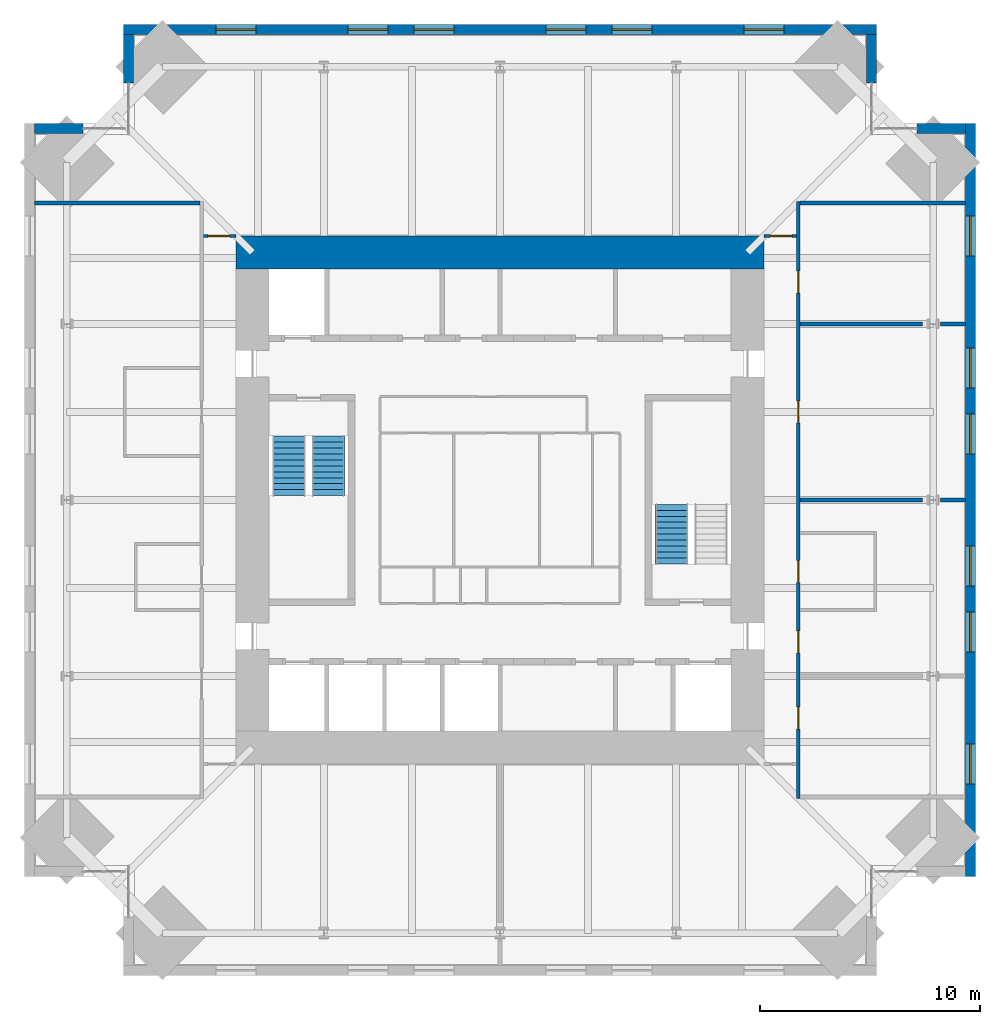
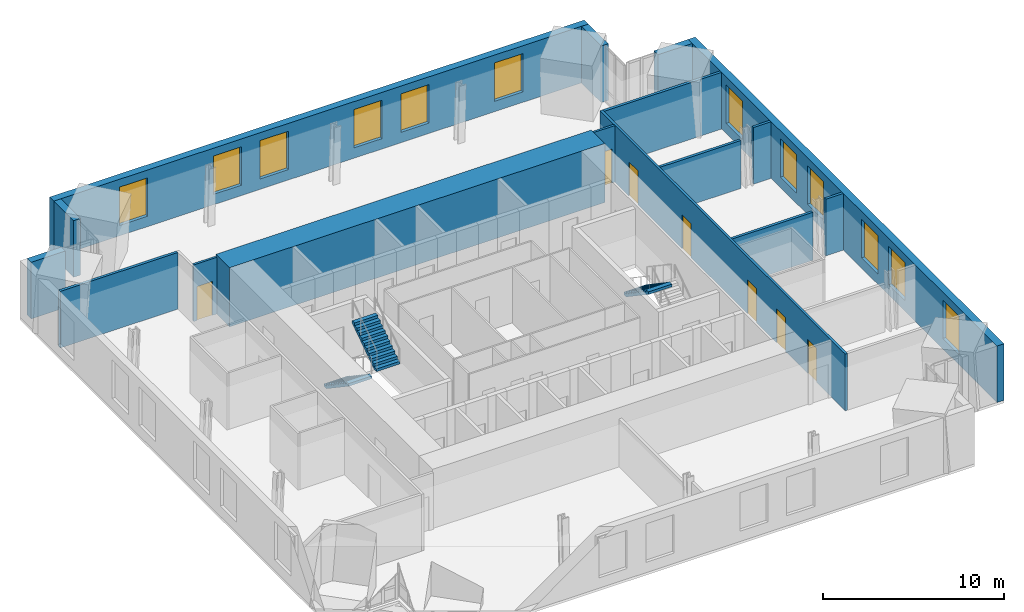
# One storey, part 14 of 16: 16 walls, 12 windows, 7 doors, 3 stair flights, 19 openings, 2 elements without a shape of their own.
"""IFC4 building model written with IfcOpenShell, lengths in metres."""

from ifc_helpers import new_model, si_unit, direction, frame, frame_2d, origin, place, context, subcontext, project, spatial, polyline, rectangle, outline, extrude, material, layer, layer_set, type_object, element, fill, aggregate, save


model = new_model("IFC4")

# Units and contexts
model_context = context("Model", 3, precision=1e-05, world=origin(), true_north=direction((0.0, 1.0)))
body_context = subcontext(model_context, "Body", "Model", "MODEL_VIEW")
ifc_project = project(units=[si_unit("LENGTHUNIT", "METRE"), si_unit("AREAUNIT", "SQUARE_METRE"), si_unit("VOLUMEUNIT", "CUBIC_METRE"), si_unit("PLANEANGLEUNIT", "RADIAN"), si_unit("MASSUNIT", "GRAM", prefix="KILO")], contexts=[model_context])

# Site, building, storey
site_placement = place(None, origin())
site = spatial("IfcSite", under=ifc_project, at=site_placement, CompositionType="ELEMENT")
building_placement = place(site_placement, origin())
building = spatial("IfcBuilding", under=site, at=building_placement, Name="Peilmerk Tower", CompositionType="ELEMENT")
storey_placement = place(building_placement, frame((0.0, 0.0, 277.800048828125)))
storey = spatial("IfcBuildingStorey", under=building, at=storey_placement, Name="L62", CompositionType="ELEMENT", Elevation=277.800048828125)

# Wall, openings, windows
ifc_material_1 = material(Name="Precast concrete C45/55, board-marked finish", Category="concrete")
ifc_layer_1 = layer(ifc_material_1, 0.449951171875)
ifc_layer_set_1 = layer_set([ifc_layer_1], Name="Precast concrete C45/55, board-marked finish")
wall_type_1 = type_object("IfcWallType", Name="EW1 450 precast concrete facade wall, board-marked", PredefinedType="SOLIDWALL", material=ifc_layer_set_1)
wall_1_placement = place(storey_placement, frame((17.10009765625, 21.375, 0.0), z_axis=(0.0, 0.0, 1.0), x_axis=(-1.0, 0.0, 0.0)))
wall_1 = element("IfcWall", 1, at=wall_1_placement, inside=storey, type_object=wall_type_1, Name="Facade wall N L62", PredefinedType="SOLIDWALL", context=body_context, shape_type="SweptSolid", body=[
    extrude(rectangle(XDim=34.2001953125, YDim=0.449951171875, at=frame_2d((17.10009765625, 0.0))), origin(), (0.0, 0.0, 1.0), 3.829833984375),
])
opening_1_placement = place(wall_1_placement, frame((4.199951171875, 0.0, 0.699951171875)))
opening_1 = element("IfcOpeningElement", 2, at=opening_1_placement, cuts=wall_1, Name="Opening W1", PredefinedType="OPENING", context=body_context, shape_type="SweptSolid", body=[
    extrude(rectangle(XDim=1.800048828125, YDim=2.60009765625, at=frame_2d((0.89990234375, 1.300048828125))), frame((0.0, 0.23486328125, 0.0), z_axis=(0.0, -1.0, 0.0), x_axis=(1.0, 0.0, 0.0)), (0.0, 0.0, 1.0), 0.469970703125),
])
opening_2_placement = place(wall_1_placement, frame((10.199951171875, 0.0, 0.699951171875)))
opening_2 = element("IfcOpeningElement", 3, at=opening_2_placement, cuts=wall_1, Name="Opening W1", PredefinedType="OPENING", context=body_context, shape_type="SweptSolid", body=[
    extrude(rectangle(XDim=1.800048828125, YDim=2.60009765625, at=frame_2d((0.89990234375, 1.300048828125))), frame((0.0, 0.23486328125, 0.0), z_axis=(0.0, -1.0, 0.0), x_axis=(1.0, 0.0, 0.0)), (0.0, 0.0, 1.0), 0.469970703125),
])
opening_3_placement = place(wall_1_placement, frame((13.199951171875, 0.0, 0.699951171875)))
opening_3 = element("IfcOpeningElement", 4, at=opening_3_placement, cuts=wall_1, Name="Opening W1", PredefinedType="OPENING", context=body_context, shape_type="SweptSolid", body=[
    extrude(rectangle(XDim=1.800048828125, YDim=2.60009765625, at=frame_2d((0.89990234375, 1.300048828125))), frame((0.0, 0.23486328125, 0.0), z_axis=(0.0, -1.0, 0.0), x_axis=(1.0, 0.0, 0.0)), (0.0, 0.0, 1.0), 0.469970703125),
])
opening_4_placement = place(wall_1_placement, frame((19.199951171875, 0.0, 0.699951171875)))
opening_4 = element("IfcOpeningElement", 5, at=opening_4_placement, cuts=wall_1, Name="Opening W1", PredefinedType="OPENING", context=body_context, shape_type="SweptSolid", body=[
    extrude(rectangle(XDim=1.800048828125, YDim=2.60009765625, at=frame_2d((0.89990234375, 1.300048828125))), frame((0.0, 0.23486328125, 0.0), z_axis=(0.0, -1.0, 0.0), x_axis=(1.0, 0.0, 0.0)), (0.0, 0.0, 1.0), 0.469970703125),
])
opening_5_placement = place(wall_1_placement, frame((22.199951171875, 0.0, 0.699951171875)))
opening_5 = element("IfcOpeningElement", 6, at=opening_5_placement, cuts=wall_1, Name="Opening W1", PredefinedType="OPENING", context=body_context, shape_type="SweptSolid", body=[
    extrude(rectangle(XDim=1.800048828125, YDim=2.60009765625, at=frame_2d((0.89990234375, 1.300048828125))), frame((0.0, 0.23486328125, 0.0), z_axis=(0.0, -1.0, 0.0), x_axis=(1.0, 0.0, 0.0)), (0.0, 0.0, 1.0), 0.469970703125),
])
opening_6_placement = place(wall_1_placement, frame((28.199951171875, 0.0, 0.699951171875)))
opening_6 = element("IfcOpeningElement", 7, at=opening_6_placement, cuts=wall_1, Name="Opening W1", PredefinedType="OPENING", context=body_context, shape_type="SweptSolid", body=[
    extrude(rectangle(XDim=1.800048828125, YDim=2.60009765625, at=frame_2d((0.89990234375, 1.300048828125))), frame((0.0, 0.23486328125, 0.0), z_axis=(0.0, -1.0, 0.0), x_axis=(1.0, 0.0, 0.0)), (0.0, 0.0, 1.0), 0.469970703125),
])
ifc_material_2 = material(Name="Aluminium frame, clear double glazing", Category="aluminium")
window_type = type_object("IfcWindowType", Name="W1 1800x2600 office window", PartitioningType="SINGLE_PANEL", PredefinedType="WINDOW", material=ifc_material_2)
window_1_placement = place(opening_1_placement, origin())
window_1 = element("IfcWindow", 8, at=window_1_placement, inside=storey, type_object=window_type, Name="Window W1 L62", OverallHeight=2.60009765625, OverallWidth=1.800048828125, PartitioningType="SINGLE_PANEL", PredefinedType="WINDOW", context=body_context, shape_type="SweptSolid", body=[
    extrude(rectangle(XDim=1.800048828125, YDim=2.60009765625, at=frame_2d((0.89990234375, 1.300048828125))), frame((0.0, 0.030029296875, 0.0), z_axis=(0.0, -1.0, 0.0), x_axis=(1.0, 0.0, 0.0)), (0.0, 0.0, 1.0), 0.06005859375),
])
fill(opening_1, window_1)
window_2_placement = place(opening_2_placement, origin())
window_2 = element("IfcWindow", 9, at=window_2_placement, inside=storey, type_object=window_type, Name="Window W1 L62", OverallHeight=2.60009765625, OverallWidth=1.800048828125, PartitioningType="SINGLE_PANEL", PredefinedType="WINDOW", context=body_context, shape_type="SweptSolid", body=[
    extrude(rectangle(XDim=1.800048828125, YDim=2.60009765625, at=frame_2d((0.89990234375, 1.300048828125))), frame((0.0, 0.030029296875, 0.0), z_axis=(0.0, -1.0, 0.0), x_axis=(1.0, 0.0, 0.0)), (0.0, 0.0, 1.0), 0.06005859375),
])
fill(opening_2, window_2)
window_3_placement = place(opening_3_placement, origin())
window_3 = element("IfcWindow", 10, at=window_3_placement, inside=storey, type_object=window_type, Name="Window W1 L62", OverallHeight=2.60009765625, OverallWidth=1.800048828125, PartitioningType="SINGLE_PANEL", PredefinedType="WINDOW", context=body_context, shape_type="SweptSolid", body=[
    extrude(rectangle(XDim=1.800048828125, YDim=2.60009765625, at=frame_2d((0.89990234375, 1.300048828125))), frame((0.0, 0.030029296875, 0.0), z_axis=(0.0, -1.0, 0.0), x_axis=(1.0, 0.0, 0.0)), (0.0, 0.0, 1.0), 0.06005859375),
])
fill(opening_3, window_3)
window_4_placement = place(opening_4_placement, origin())
window_4 = element("IfcWindow", 11, at=window_4_placement, inside=storey, type_object=window_type, Name="Window W1 L62", OverallHeight=2.60009765625, OverallWidth=1.800048828125, PartitioningType="SINGLE_PANEL", PredefinedType="WINDOW", context=body_context, shape_type="SweptSolid", body=[
    extrude(rectangle(XDim=1.800048828125, YDim=2.60009765625, at=frame_2d((0.89990234375, 1.300048828125))), frame((0.0, 0.030029296875, 0.0), z_axis=(0.0, -1.0, 0.0), x_axis=(1.0, 0.0, 0.0)), (0.0, 0.0, 1.0), 0.06005859375),
])
fill(opening_4, window_4)
window_5_placement = place(opening_5_placement, origin())
window_5 = element("IfcWindow", 12, at=window_5_placement, inside=storey, type_object=window_type, Name="Window W1 L62", OverallHeight=2.60009765625, OverallWidth=1.800048828125, PartitioningType="SINGLE_PANEL", PredefinedType="WINDOW", context=body_context, shape_type="SweptSolid", body=[
    extrude(rectangle(XDim=1.800048828125, YDim=2.60009765625, at=frame_2d((0.89990234375, 1.300048828125))), frame((0.0, 0.030029296875, 0.0), z_axis=(0.0, -1.0, 0.0), x_axis=(1.0, 0.0, 0.0)), (0.0, 0.0, 1.0), 0.06005859375),
])
fill(opening_5, window_5)
window_6_placement = place(opening_6_placement, origin())
window_6 = element("IfcWindow", 13, at=window_6_placement, inside=storey, type_object=window_type, Name="Window W1 L62", OverallHeight=2.60009765625, OverallWidth=1.800048828125, PartitioningType="SINGLE_PANEL", PredefinedType="WINDOW", context=body_context, shape_type="SweptSolid", body=[
    extrude(rectangle(XDim=1.800048828125, YDim=2.60009765625, at=frame_2d((0.89990234375, 1.300048828125))), frame((0.0, 0.030029296875, 0.0), z_axis=(0.0, -1.0, 0.0), x_axis=(1.0, 0.0, 0.0)), (0.0, 0.0, 1.0), 0.06005859375),
])
fill(opening_6, window_6)

wall_2_placement = place(storey_placement, frame((21.375, -17.10009765625, 0.0), z_axis=(0.0, 0.0, 1.0), x_axis=(0.0, 1.0, 0.0)))
wall_2 = element("IfcWall", 14, at=wall_2_placement, inside=storey, type_object=wall_type_1, Name="Facade wall E L62", PredefinedType="SOLIDWALL", context=body_context, shape_type="SweptSolid", body=[
    extrude(rectangle(XDim=34.2001953125, YDim=0.449951171875, at=frame_2d((17.10009765625, 0.0))), origin(), (0.0, 0.0, 1.0), 3.829833984375),
])
opening_7_placement = place(wall_2_placement, frame((4.199951171875, 0.0, 0.699951171875)))
opening_7 = element("IfcOpeningElement", 15, at=opening_7_placement, cuts=wall_2, Name="Opening W1", PredefinedType="OPENING", context=body_context, shape_type="SweptSolid", body=[
    extrude(rectangle(XDim=1.800048828125, YDim=2.60009765625, at=frame_2d((0.89990234375, 1.300048828125))), frame((0.0, 0.23486328125, 0.0), z_axis=(0.0, -1.0, 0.0), x_axis=(1.0, 0.0, 0.0)), (0.0, 0.0, 1.0), 0.469970703125),
])
opening_8_placement = place(wall_2_placement, frame((10.199951171875, 0.0, 0.699951171875)))
opening_8 = element("IfcOpeningElement", 16, at=opening_8_placement, cuts=wall_2, Name="Opening W1", PredefinedType="OPENING", context=body_context, shape_type="SweptSolid", body=[
    extrude(rectangle(XDim=1.800048828125, YDim=2.60009765625, at=frame_2d((0.89990234375, 1.300048828125))), frame((0.0, 0.23486328125, 0.0), z_axis=(0.0, -1.0, 0.0), x_axis=(1.0, 0.0, 0.0)), (0.0, 0.0, 1.0), 0.469970703125),
])
opening_9_placement = place(wall_2_placement, frame((13.199951171875, 0.0, 0.699951171875)))
opening_9 = element("IfcOpeningElement", 17, at=opening_9_placement, cuts=wall_2, Name="Opening W1", PredefinedType="OPENING", context=body_context, shape_type="SweptSolid", body=[
    extrude(rectangle(XDim=1.800048828125, YDim=2.60009765625, at=frame_2d((0.89990234375, 1.300048828125))), frame((0.0, 0.23486328125, 0.0), z_axis=(0.0, -1.0, 0.0), x_axis=(1.0, 0.0, 0.0)), (0.0, 0.0, 1.0), 0.469970703125),
])
opening_10_placement = place(wall_2_placement, frame((19.199951171875, 0.0, 0.699951171875)))
opening_10 = element("IfcOpeningElement", 18, at=opening_10_placement, cuts=wall_2, Name="Opening W1", PredefinedType="OPENING", context=body_context, shape_type="SweptSolid", body=[
    extrude(rectangle(XDim=1.800048828125, YDim=2.60009765625, at=frame_2d((0.89990234375, 1.300048828125))), frame((0.0, 0.23486328125, 0.0), z_axis=(0.0, -1.0, 0.0), x_axis=(1.0, 0.0, 0.0)), (0.0, 0.0, 1.0), 0.469970703125),
])
opening_11_placement = place(wall_2_placement, frame((22.199951171875, 0.0, 0.699951171875)))
opening_11 = element("IfcOpeningElement", 19, at=opening_11_placement, cuts=wall_2, Name="Opening W1", PredefinedType="OPENING", context=body_context, shape_type="SweptSolid", body=[
    extrude(rectangle(XDim=1.800048828125, YDim=2.60009765625, at=frame_2d((0.89990234375, 1.300048828125))), frame((0.0, 0.23486328125, 0.0), z_axis=(0.0, -1.0, 0.0), x_axis=(1.0, 0.0, 0.0)), (0.0, 0.0, 1.0), 0.469970703125),
])
opening_12_placement = place(wall_2_placement, frame((28.199951171875, 0.0, 0.699951171875)))
opening_12 = element("IfcOpeningElement", 20, at=opening_12_placement, cuts=wall_2, Name="Opening W1", PredefinedType="OPENING", context=body_context, shape_type="SweptSolid", body=[
    extrude(rectangle(XDim=1.800048828125, YDim=2.60009765625, at=frame_2d((0.89990234375, 1.300048828125))), frame((0.0, 0.23486328125, 0.0), z_axis=(0.0, -1.0, 0.0), x_axis=(1.0, 0.0, 0.0)), (0.0, 0.0, 1.0), 0.469970703125),
])
window_7_placement = place(opening_7_placement, origin())
window_7 = element("IfcWindow", 21, at=window_7_placement, inside=storey, type_object=window_type, Name="Window W1 L62", OverallHeight=2.60009765625, OverallWidth=1.800048828125, PartitioningType="SINGLE_PANEL", PredefinedType="WINDOW", context=body_context, shape_type="SweptSolid", body=[
    extrude(rectangle(XDim=1.800048828125, YDim=2.60009765625, at=frame_2d((0.89990234375, 1.300048828125))), frame((0.0, 0.030029296875, 0.0), z_axis=(0.0, -1.0, 0.0), x_axis=(1.0, 0.0, 0.0)), (0.0, 0.0, 1.0), 0.06005859375),
])
fill(opening_7, window_7)
window_8_placement = place(opening_8_placement, origin())
window_8 = element("IfcWindow", 22, at=window_8_placement, inside=storey, type_object=window_type, Name="Window W1 L62", OverallHeight=2.60009765625, OverallWidth=1.800048828125, PartitioningType="SINGLE_PANEL", PredefinedType="WINDOW", context=body_context, shape_type="SweptSolid", body=[
    extrude(rectangle(XDim=1.800048828125, YDim=2.60009765625, at=frame_2d((0.89990234375, 1.300048828125))), frame((0.0, 0.030029296875, 0.0), z_axis=(0.0, -1.0, 0.0), x_axis=(1.0, 0.0, 0.0)), (0.0, 0.0, 1.0), 0.06005859375),
])
fill(opening_8, window_8)
window_9_placement = place(opening_9_placement, origin())
window_9 = element("IfcWindow", 23, at=window_9_placement, inside=storey, type_object=window_type, Name="Window W1 L62", OverallHeight=2.60009765625, OverallWidth=1.800048828125, PartitioningType="SINGLE_PANEL", PredefinedType="WINDOW", context=body_context, shape_type="SweptSolid", body=[
    extrude(rectangle(XDim=1.800048828125, YDim=2.60009765625, at=frame_2d((0.89990234375, 1.300048828125))), frame((0.0, 0.030029296875, 0.0), z_axis=(0.0, -1.0, 0.0), x_axis=(1.0, 0.0, 0.0)), (0.0, 0.0, 1.0), 0.06005859375),
])
fill(opening_9, window_9)
window_10_placement = place(opening_10_placement, origin())
window_10 = element("IfcWindow", 24, at=window_10_placement, inside=storey, type_object=window_type, Name="Window W1 L62", OverallHeight=2.60009765625, OverallWidth=1.800048828125, PartitioningType="SINGLE_PANEL", PredefinedType="WINDOW", context=body_context, shape_type="SweptSolid", body=[
    extrude(rectangle(XDim=1.800048828125, YDim=2.60009765625, at=frame_2d((0.89990234375, 1.300048828125))), frame((0.0, 0.030029296875, 0.0), z_axis=(0.0, -1.0, 0.0), x_axis=(1.0, 0.0, 0.0)), (0.0, 0.0, 1.0), 0.06005859375),
])
fill(opening_10, window_10)
window_11_placement = place(opening_11_placement, origin())
window_11 = element("IfcWindow", 25, at=window_11_placement, inside=storey, type_object=window_type, Name="Window W1 L62", OverallHeight=2.60009765625, OverallWidth=1.800048828125, PartitioningType="SINGLE_PANEL", PredefinedType="WINDOW", context=body_context, shape_type="SweptSolid", body=[
    extrude(rectangle(XDim=1.800048828125, YDim=2.60009765625, at=frame_2d((0.89990234375, 1.300048828125))), frame((0.0, 0.030029296875, 0.0), z_axis=(0.0, -1.0, 0.0), x_axis=(1.0, 0.0, 0.0)), (0.0, 0.0, 1.0), 0.06005859375),
])
fill(opening_11, window_11)
window_12_placement = place(opening_12_placement, origin())
window_12 = element("IfcWindow", 26, at=window_12_placement, inside=storey, type_object=window_type, Name="Window W1 L62", OverallHeight=2.60009765625, OverallWidth=1.800048828125, PartitioningType="SINGLE_PANEL", PredefinedType="WINDOW", context=body_context, shape_type="SweptSolid", body=[
    extrude(rectangle(XDim=1.800048828125, YDim=2.60009765625, at=frame_2d((0.89990234375, 1.300048828125))), frame((0.0, 0.030029296875, 0.0), z_axis=(0.0, -1.0, 0.0), x_axis=(1.0, 0.0, 0.0)), (0.0, 0.0, 1.0), 0.06005859375),
])
fill(opening_12, window_12)

# Walls
for number, where, z_axis, x_axis, name in (
    (27, (16.875, 18.95361328125, 0.0), (0.0, 0.0, 1.0), (0.0, 1.0, 0.0), "Facade wall NEA L62"),
    (28, (18.95361328125, 16.875, 0.0), (0.0, 0.0, 1.0), (1.0, 0.0, 0.0), "Facade wall NEB L62"),
    (29, (-16.875, 18.95361328125, 0.0), (0.0, 0.0, 1.0), (0.0, 1.0, 0.0), "Facade wall NWA L62"),
    (30, (-18.95361328125, 16.875, 0.0), (0.0, 0.0, 1.0), (-1.0, 0.0, 0.0), "Facade wall NWB L62"),
):
    element("IfcWall", number, at=place(storey_placement, frame(where, z_axis=z_axis, x_axis=x_axis)), inside=storey, type_object=wall_type_1, Name=name, PredefinedType="SOLIDWALL", context=body_context, shape_type="SweptSolid", body=[
        extrude(rectangle(XDim=2.1962890625, YDim=0.449951171875, at=frame_2d((1.09814453125, 0.0))), origin(), (0.0, 0.0, 1.0), 3.829833984375),
    ])

# Wall, openings, doors
ifc_material_3 = material(Name="Calcium silicate block", Category="masonry")
ifc_layer_2 = layer(ifc_material_3, 0.14990234375)
ifc_layer_set_2 = layer_set([ifc_layer_2], Name="Calcium silicate block")
wall_type_2 = type_object("IfcWallType", Name="IW1 150 corridor partition, EI 60", PredefinedType="PARTITIONING", material=ifc_layer_set_2)
wall_3_placement = place(storey_placement, frame((13.550048828125, -13.574951171875, 0.0), z_axis=(0.0, 0.0, 1.0), x_axis=(0.0, 1.0, 0.0)))
wall_3 = element("IfcWall", 31, at=wall_3_placement, inside=storey, type_object=wall_type_2, Name="Corridor wall E L62", PredefinedType="PARTITIONING", context=body_context, shape_type="SweptSolid", body=[
    extrude(rectangle(XDim=27.14990234375, YDim=0.14990234375, at=frame_2d((13.574951171875, 0.0))), origin(), (0.0, 0.0, 1.0), 3.829833984375),
])
opening_13_placement = place(wall_3_placement, frame((3.175048828125, 0.0, 0.0)))
opening_13 = element("IfcOpeningElement", 32, at=opening_13_placement, cuts=wall_3, Name="Opening D1", PredefinedType="OPENING", context=body_context, shape_type="SweptSolid", body=[
    extrude(rectangle(XDim=1.0, YDim=2.300048828125, at=frame_2d((0.5, 1.14990234375))), frame((0.0, 0.0849609375, 0.0), z_axis=(0.0, -1.0, 0.0), x_axis=(1.0, 0.0, 0.0)), (0.0, 0.0, 1.0), 0.169921875),
])
opening_14_placement = place(wall_3_placement, frame((6.625, 0.0, 0.0)))
opening_14 = element("IfcOpeningElement", 33, at=opening_14_placement, cuts=wall_3, Name="Opening D1", PredefinedType="OPENING", context=body_context, shape_type="SweptSolid", body=[
    extrude(rectangle(XDim=1.0, YDim=2.300048828125, at=frame_2d((0.5, 1.14990234375))), frame((0.0, 0.0849609375, 0.0), z_axis=(0.0, -1.0, 0.0), x_axis=(1.0, 0.0, 0.0)), (0.0, 0.0, 1.0), 0.169921875),
])
opening_15_placement = place(wall_3_placement, frame((17.074951171875, 0.0, 0.0)))
opening_15 = element("IfcOpeningElement", 34, at=opening_15_placement, cuts=wall_3, Name="Opening D1", PredefinedType="OPENING", context=body_context, shape_type="SweptSolid", body=[
    extrude(rectangle(XDim=1.0, YDim=2.300048828125, at=frame_2d((0.5, 1.14990234375))), frame((0.0, 0.0849609375, 0.0), z_axis=(0.0, -1.0, 0.0), x_axis=(1.0, 0.0, 0.0)), (0.0, 0.0, 1.0), 0.169921875),
])
opening_16_placement = place(wall_3_placement, frame((22.97509765625, 0.0, 0.0)))
opening_16 = element("IfcOpeningElement", 35, at=opening_16_placement, cuts=wall_3, Name="Opening D1", PredefinedType="OPENING", context=body_context, shape_type="SweptSolid", body=[
    extrude(rectangle(XDim=1.0, YDim=2.300048828125, at=frame_2d((0.5, 1.14990234375))), frame((0.0, 0.0849609375, 0.0), z_axis=(0.0, -1.0, 0.0), x_axis=(1.0, 0.0, 0.0)), (0.0, 0.0, 1.0), 0.169921875),
])
opening_17_placement = place(wall_3_placement, frame((9.824951171875, 0.0, 0.0)))
opening_17 = element("IfcOpeningElement", 36, at=opening_17_placement, cuts=wall_3, Name="Opening D1", PredefinedType="OPENING", context=body_context, shape_type="SweptSolid", body=[
    extrude(rectangle(XDim=1.0, YDim=2.300048828125, at=frame_2d((0.5, 1.14990234375))), frame((0.0, 0.0849609375, 0.0), z_axis=(0.0, -1.0, 0.0), x_axis=(1.0, 0.0, 0.0)), (0.0, 0.0, 1.0), 0.169921875),
])
ifc_material_4 = material(Name="Timber door in steel frame", Category="steel")
door_type = type_object("IfcDoorType", Name="D1 1000x2300 room door, EI2 30", OperationType="SINGLE_SWING_LEFT", PredefinedType="DOOR", material=ifc_material_4)
door_1_placement = place(opening_13_placement, frame((1.0, 0.0, 0.0), z_axis=(0.0, 0.0, 1.0), x_axis=(-1.0, 0.0, 0.0)))
door_1 = element("IfcDoor", 37, at=door_1_placement, inside=storey, type_object=door_type, Name="Door Executive office L62", OperationType="SINGLE_SWING_LEFT", OverallHeight=2.300048828125, OverallWidth=1.0, PredefinedType="DOOR", context=body_context, shape_type="SweptSolid", body=[
    extrude(rectangle(XDim=1.0, YDim=2.300048828125, at=frame_2d((0.5, 1.14990234375))), frame((0.0, 0.02490234375, 0.0), z_axis=(0.0, -1.0, 0.0), x_axis=(1.0, 0.0, 0.0)), (0.0, 0.0, 1.0), 0.050048828125),
])
fill(opening_13, door_1)
door_2_placement = place(opening_14_placement, frame((1.0, 0.0, 0.0), z_axis=(0.0, 0.0, 1.0), x_axis=(-1.0, 0.0, 0.0)))
door_2 = element("IfcDoor", 38, at=door_2_placement, inside=storey, type_object=door_type, Name="Door Executive office L62", OperationType="SINGLE_SWING_LEFT", OverallHeight=2.300048828125, OverallWidth=1.0, PredefinedType="DOOR", context=body_context, shape_type="SweptSolid", body=[
    extrude(rectangle(XDim=1.0, YDim=2.300048828125, at=frame_2d((0.5, 1.14990234375))), frame((0.0, 0.02490234375, 0.0), z_axis=(0.0, -1.0, 0.0), x_axis=(1.0, 0.0, 0.0)), (0.0, 0.0, 1.0), 0.050048828125),
])
fill(opening_14, door_2)
door_3_placement = place(opening_15_placement, frame((1.0, 0.0, 0.0), z_axis=(0.0, 0.0, 1.0), x_axis=(-1.0, 0.0, 0.0)))
door_3 = element("IfcDoor", 39, at=door_3_placement, inside=storey, type_object=door_type, Name="Door Executive office L62", OperationType="SINGLE_SWING_LEFT", OverallHeight=2.300048828125, OverallWidth=1.0, PredefinedType="DOOR", context=body_context, shape_type="SweptSolid", body=[
    extrude(rectangle(XDim=1.0, YDim=2.300048828125, at=frame_2d((0.5, 1.14990234375))), frame((0.0, 0.02490234375, 0.0), z_axis=(0.0, -1.0, 0.0), x_axis=(1.0, 0.0, 0.0)), (0.0, 0.0, 1.0), 0.050048828125),
])
fill(opening_15, door_3)
door_4_placement = place(opening_16_placement, frame((1.0, 0.0, 0.0), z_axis=(0.0, 0.0, 1.0), x_axis=(-1.0, 0.0, 0.0)))
door_4 = element("IfcDoor", 40, at=door_4_placement, inside=storey, type_object=door_type, Name="Door Executive office L62", OperationType="SINGLE_SWING_LEFT", OverallHeight=2.300048828125, OverallWidth=1.0, PredefinedType="DOOR", context=body_context, shape_type="SweptSolid", body=[
    extrude(rectangle(XDim=1.0, YDim=2.300048828125, at=frame_2d((0.5, 1.14990234375))), frame((0.0, 0.02490234375, 0.0), z_axis=(0.0, -1.0, 0.0), x_axis=(1.0, 0.0, 0.0)), (0.0, 0.0, 1.0), 0.050048828125),
])
fill(opening_16, door_4)
door_5_placement = place(opening_17_placement, frame((1.0, 0.0, 0.0), z_axis=(0.0, 0.0, 1.0), x_axis=(-1.0, 0.0, 0.0)))
door_5 = element("IfcDoor", 41, at=door_5_placement, inside=storey, type_object=door_type, Name="Door Pantry L62", OperationType="SINGLE_SWING_LEFT", OverallHeight=2.300048828125, OverallWidth=1.0, PredefinedType="DOOR", context=body_context, shape_type="SweptSolid", body=[
    extrude(rectangle(XDim=1.0, YDim=2.300048828125, at=frame_2d((0.5, 1.14990234375))), frame((0.0, 0.02490234375, 0.0), z_axis=(0.0, -1.0, 0.0), x_axis=(1.0, 0.0, 0.0)), (0.0, 0.0, 1.0), 0.050048828125),
])
fill(opening_17, door_5)

# Wall, opening, door
wall_4_placement = place(storey_placement, frame((12.0, 12.0, 0.0), z_axis=(0.0, 0.0, 1.0), x_axis=(1.0, 0.0, 0.0)))
wall_4 = element("IfcWall", 42, at=wall_4_placement, inside=storey, type_object=wall_type_2, Name="Corridor wall NE L62", PredefinedType="PARTITIONING", context=body_context, shape_type="SweptSolid", body=[
    extrude(rectangle(XDim=1.47509765625, YDim=0.14990234375, at=frame_2d((0.737548828125, 0.0))), origin(), (0.0, 0.0, 1.0), 3.829833984375),
])
opening_18_placement = place(wall_4_placement, frame((0.27490234375, 0.0, 0.0)))
opening_18 = element("IfcOpeningElement", 43, at=opening_18_placement, cuts=wall_4, Name="Opening D1", PredefinedType="OPENING", context=body_context, shape_type="SweptSolid", body=[
    extrude(rectangle(XDim=1.0, YDim=2.300048828125, at=frame_2d((0.5, 1.14990234375))), frame((0.0, 0.0849609375, 0.0), z_axis=(0.0, -1.0, 0.0), x_axis=(1.0, 0.0, 0.0)), (0.0, 0.0, 1.0), 0.169921875),
])
door_6_placement = place(opening_18_placement, origin())
door_6 = element("IfcDoor", 44, at=door_6_placement, inside=storey, type_object=door_type, Name="Door Client suite L62", OperationType="SINGLE_SWING_LEFT", OverallHeight=2.300048828125, OverallWidth=1.0, PredefinedType="DOOR", context=body_context, shape_type="SweptSolid", body=[
    extrude(rectangle(XDim=1.0, YDim=2.300048828125, at=frame_2d((0.5, 1.14990234375))), frame((0.0, 0.02490234375, 0.0), z_axis=(0.0, -1.0, 0.0), x_axis=(1.0, 0.0, 0.0)), (0.0, 0.0, 1.0), 0.050048828125),
])
fill(opening_18, door_6)

wall_5_placement = place(storey_placement, frame((-13.47509765625, 12.0, 0.0), z_axis=(0.0, 0.0, 1.0), x_axis=(1.0, 0.0, 0.0)))
wall_5 = element("IfcWall", 45, at=wall_5_placement, inside=storey, type_object=wall_type_2, Name="Corridor wall NW L62", PredefinedType="PARTITIONING", context=body_context, shape_type="SweptSolid", body=[
    extrude(rectangle(XDim=1.47509765625, YDim=0.14990234375, at=frame_2d((0.737548828125, 0.0))), origin(), (0.0, 0.0, 1.0), 3.829833984375),
])
opening_19_placement = place(wall_5_placement, frame((0.199951171875, 0.0, 0.0)))
opening_19 = element("IfcOpeningElement", 46, at=opening_19_placement, cuts=wall_5, Name="Opening D1", PredefinedType="OPENING", context=body_context, shape_type="SweptSolid", body=[
    extrude(rectangle(XDim=1.0, YDim=2.300048828125, at=frame_2d((0.5, 1.14990234375))), frame((0.0, 0.0849609375, 0.0), z_axis=(0.0, -1.0, 0.0), x_axis=(1.0, 0.0, 0.0)), (0.0, 0.0, 1.0), 0.169921875),
])
door_7_placement = place(opening_19_placement, origin())
door_7 = element("IfcDoor", 47, at=door_7_placement, inside=storey, type_object=door_type, Name="Door Client suite L62", OperationType="SINGLE_SWING_LEFT", OverallHeight=2.300048828125, OverallWidth=1.0, PredefinedType="DOOR", context=body_context, shape_type="SweptSolid", body=[
    extrude(rectangle(XDim=1.0, YDim=2.300048828125, at=frame_2d((0.5, 1.14990234375))), frame((0.0, 0.02490234375, 0.0), z_axis=(0.0, -1.0, 0.0), x_axis=(1.0, 0.0, 0.0)), (0.0, 0.0, 1.0), 0.050048828125),
])
fill(opening_19, door_7)

# Walls
ifc_layer_3 = layer(ifc_material_3, 0.175048828125)
ifc_layer_set_3 = layer_set([ifc_layer_3], Name="Calcium silicate block")
wall_type_3 = type_object("IfcWallType", Name="IW8 175 tenant separating wall, EI 60", PredefinedType="PARTITIONING", material=ifc_layer_set_3)
for number, where, z_axis, x_axis, name in (
    (48, (13.625, 13.5, 0.0), (0.0, 0.0, 1.0), (1.0, 0.0, 0.0), "Tenant separating wall NE L62"),
    (49, (-21.14990234375, 13.5, 0.0), (0.0, 0.0, 1.0), (1.0, 0.0, 0.0), "Tenant separating wall NW L62"),
):
    element("IfcWall", number, at=place(storey_placement, frame(where, z_axis=z_axis, x_axis=x_axis)), inside=storey, type_object=wall_type_3, Name=name, PredefinedType="PARTITIONING", context=body_context, shape_type="SweptSolid", body=[
        extrude(rectangle(XDim=7.52490234375, YDim=0.175048828125, at=frame_2d((3.762451171875, 0.0))), origin(), (0.0, 0.0, 1.0), 3.829833984375),
    ])
wall_6_placement = place(storey_placement, frame((13.625, 0.0, 0.0), z_axis=(0.0, 0.0, 1.0), x_axis=(1.0, 0.0, 0.0)))
element("IfcWall", 50, at=wall_6_placement, inside=storey, type_object=wall_type_3, Name="Tenant separating wall E2 L62", PredefinedType="PARTITIONING", context=body_context, shape_type="SweptSolid", body=[
    extrude(rectangle(XDim=5.579345703125, YDim=0.175048828125, at=frame_2d((2.78955078125, 0.0))), origin(), (0.0, 0.0, 1.0), 3.239990234375),
])
wall_7_placement = place(storey_placement, frame((20.02490234375, 0.0, 0.0), z_axis=(0.0, 0.0, 1.0), x_axis=(1.0, 0.0, 0.0)))
element("IfcWall", 51, at=wall_7_placement, inside=storey, type_object=wall_type_3, Name="Tenant separating wall E2b L62", PredefinedType="PARTITIONING", context=body_context, shape_type="SweptSolid", body=[
    extrude(rectangle(XDim=1.125, YDim=0.175048828125, at=frame_2d((0.5625, 0.0))), origin(), (0.0, 0.0, 1.0), 3.829833984375),
])
wall_8_placement = place(storey_placement, frame((13.625, 8.0, 0.0), z_axis=(0.0, 0.0, 1.0), x_axis=(1.0, 0.0, 0.0)))
element("IfcWall", 52, at=wall_8_placement, inside=storey, type_object=wall_type_3, Name="Tenant separating wall E3 L62", PredefinedType="PARTITIONING", context=body_context, shape_type="SweptSolid", body=[
    extrude(rectangle(XDim=5.579345703125, YDim=0.175048828125, at=frame_2d((2.78955078125, 0.0))), origin(), (0.0, 0.0, 1.0), 3.239990234375),
])
wall_9_placement = place(storey_placement, frame((20.02490234375, 8.0, 0.0), z_axis=(0.0, 0.0, 1.0), x_axis=(1.0, 0.0, 0.0)))
element("IfcWall", 53, at=wall_9_placement, inside=storey, type_object=wall_type_3, Name="Tenant separating wall E3b L62", PredefinedType="PARTITIONING", context=body_context, shape_type="SweptSolid", body=[
    extrude(rectangle(XDim=1.125, YDim=0.175048828125, at=frame_2d((0.5625, 0.0))), origin(), (0.0, 0.0, 1.0), 3.829833984375),
])
ifc_material_5 = material(Name="Concrete C55/67", Category="concrete")
ifc_layer_4 = layer(ifc_material_5, 1.5)
ifc_layer_set_4 = layer_set([ifc_layer_4], Name="Concrete C55/67")
wall_type_4 = type_object("IfcWallType", Name="SW1 1500 core wall", PredefinedType="SHEAR", material=ifc_layer_set_4)
wall_10_placement = place(storey_placement, frame((-12.0, 11.25, 0.0), z_axis=(0.0, 0.0, 1.0), x_axis=(1.0, 0.0, 0.0)))
element("IfcWall", 54, at=wall_10_placement, inside=storey, type_object=wall_type_4, Name="Core wall N L62", PredefinedType="SHEAR", context=body_context, shape_type="SweptSolid", body=[
    extrude(rectangle(XDim=24.0, YDim=1.5, at=frame_2d((12.0, 0.0))), origin(), (0.0, 0.0, 1.0), 4.0),
])

# Stair, stair flights
ifc_material_6 = material(Name="Precast concrete C45/55", Category="concrete")
stair_type_1 = type_object("IfcStairType", Name="ST1 22 risers of 181.8", PredefinedType="HALF_TURN_STAIR", material=ifc_material_6)
stair_1_placement = place(storey_placement, origin())
stair_1 = element("IfcStair", 55, at=stair_1_placement, inside=storey, type_object=stair_type_1, Name="Stair 1 L62 to L63", PredefinedType="HALF_TURN_STAIR")
stair_flight_type = type_object("IfcStairFlightType", Name="SF11 flight, 11 risers of 181.8", PredefinedType="STRAIGHT", material=ifc_material_6)
stair_flight_1_placement = place(storey_placement, frame((-9.60009765625, 2.89990234375, 0.0), z_axis=(0.0, 0.0, 1.0), x_axis=(0.0, -1.0, 0.0)))
stair_flight_1 = element("IfcStairFlight", 56, at=stair_flight_1_placement, type_object=stair_flight_type, Name="ST1 flight 1", NumberOfRisers=11, NumberOfTreads=10, PredefinedType="STRAIGHT", RiserHeight=0.181818182, TreadLength=0.27, context=body_context, shape_type="SweptSolid", body=[
    extrude(outline(polyline([(0.0, 0.0), (0.0, 0.181884765625), (0.27001953125, 0.181884765625), (0.27001953125, 0.363525390625), (0.5400390625, 0.363525390625), (0.5400390625, 0.54541015625), (0.81005859375, 0.54541015625), (0.81005859375, 0.727294921875), (1.080078125, 0.727294921875), (1.080078125, 0.9091796875), (1.35009765625, 0.9091796875), (1.35009765625, 1.0908203125), (1.6201171875, 1.0908203125), (1.6201171875, 1.272705078125), (1.889892578125, 1.272705078125), (1.889892578125, 1.45458984375), (2.159912109375, 1.45458984375), (2.159912109375, 1.636474609375), (2.429931640625, 1.636474609375), (2.429931640625, 1.818115234375), (2.699951171875, 1.818115234375), (2.699951171875, 2.0), (2.699951171875, 1.637451171875), (0.268310546875, 0.0), (0.0, 0.0)])), frame((0.0, 0.75, 0.0), z_axis=(0.0, -1.0, 0.0), x_axis=(1.0, 0.0, 0.0)), (0.0, 0.0, 1.0), 1.5),
])
stair_flight_2_placement = place(storey_placement, frame((-7.800048828125, 0.199951171875, 2.0), z_axis=(0.0, 0.0, 1.0), x_axis=(0.0, 1.0, 0.0)))
stair_flight_2 = element("IfcStairFlight", 57, at=stair_flight_2_placement, type_object=stair_flight_type, Name="ST1 flight 2", NumberOfRisers=11, NumberOfTreads=10, PredefinedType="STRAIGHT", RiserHeight=0.181818182, TreadLength=0.27, context=body_context, shape_type="SweptSolid", body=[
    extrude(outline(polyline([(0.0, 0.0), (0.0, 0.181884765625), (0.27001953125, 0.181884765625), (0.27001953125, 0.363525390625), (0.5400390625, 0.363525390625), (0.5400390625, 0.54541015625), (0.81005859375, 0.54541015625), (0.81005859375, 0.727294921875), (1.080078125, 0.727294921875), (1.080078125, 0.9091796875), (1.35009765625, 0.9091796875), (1.35009765625, 1.0908203125), (1.6201171875, 1.0908203125), (1.6201171875, 1.272705078125), (1.889892578125, 1.272705078125), (1.889892578125, 1.45458984375), (2.159912109375, 1.45458984375), (2.159912109375, 1.636474609375), (2.429931640625, 1.636474609375), (2.429931640625, 1.818115234375), (2.699951171875, 1.818115234375), (2.699951171875, 2.0), (2.699951171875, 1.637451171875), (0.268310546875, 0.0), (0.0, 0.0)])), frame((0.0, 0.75, 0.0), z_axis=(0.0, -1.0, 0.0), x_axis=(1.0, 0.0, 0.0)), (0.0, 0.0, 1.0), 1.5),
])
aggregate(stair_1, [stair_flight_1, stair_flight_2])

# Stair, stair flight
stair_type_2 = type_object("IfcStairType", Name="ST2 22 risers of 181.8", PredefinedType="HALF_TURN_STAIR", material=ifc_material_6)
stair_2_placement = place(storey_placement, origin())
stair_2 = element("IfcStair", 58, at=stair_2_placement, inside=storey, type_object=stair_type_2, Name="Stair 2 L62 to L63", PredefinedType="HALF_TURN_STAIR")
stair_flight_3_placement = place(storey_placement, frame((7.800048828125, -0.199951171875, 2.0), z_axis=(0.0, 0.0, 1.0), x_axis=(0.0, -1.0, 0.0)))
stair_flight_3 = element("IfcStairFlight", 59, at=stair_flight_3_placement, type_object=stair_flight_type, Name="ST2 flight 2", NumberOfRisers=11, NumberOfTreads=10, PredefinedType="STRAIGHT", RiserHeight=0.181818182, TreadLength=0.27, context=body_context, shape_type="SweptSolid", body=[
    extrude(outline(polyline([(0.0, 0.0), (0.0, 0.181884765625), (0.27001953125, 0.181884765625), (0.27001953125, 0.363525390625), (0.5400390625, 0.363525390625), (0.5400390625, 0.54541015625), (0.81005859375, 0.54541015625), (0.81005859375, 0.727294921875), (1.080078125, 0.727294921875), (1.080078125, 0.9091796875), (1.35009765625, 0.9091796875), (1.35009765625, 1.0908203125), (1.6201171875, 1.0908203125), (1.6201171875, 1.272705078125), (1.889892578125, 1.272705078125), (1.889892578125, 1.45458984375), (2.159912109375, 1.45458984375), (2.159912109375, 1.636474609375), (2.429931640625, 1.636474609375), (2.429931640625, 1.818115234375), (2.699951171875, 1.818115234375), (2.699951171875, 2.0), (2.699951171875, 1.637451171875), (0.268310546875, 0.0), (0.0, 0.0)])), frame((0.0, 0.75, 0.0), z_axis=(0.0, -1.0, 0.0), x_axis=(1.0, 0.0, 0.0)), (0.0, 0.0, 1.0), 1.5),
])
aggregate(stair_2, [stair_flight_3])

save(model, "model.ifc")
